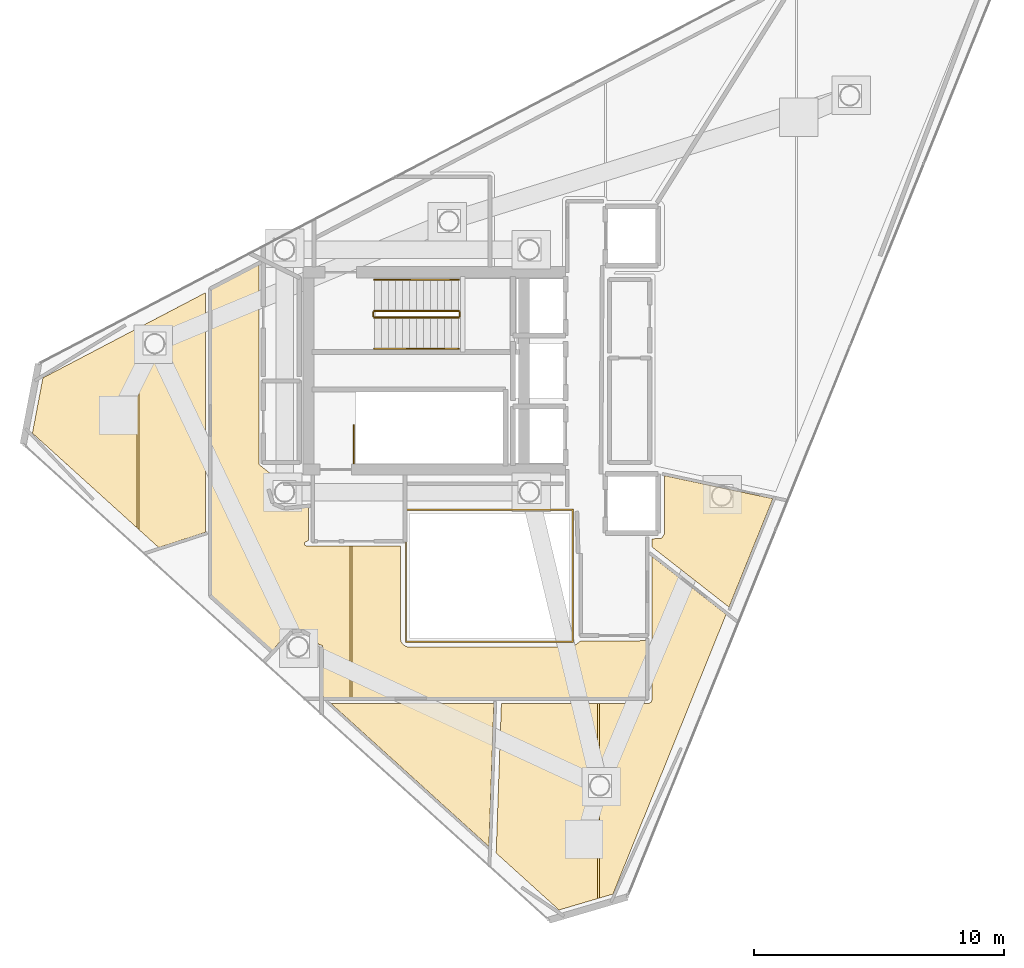
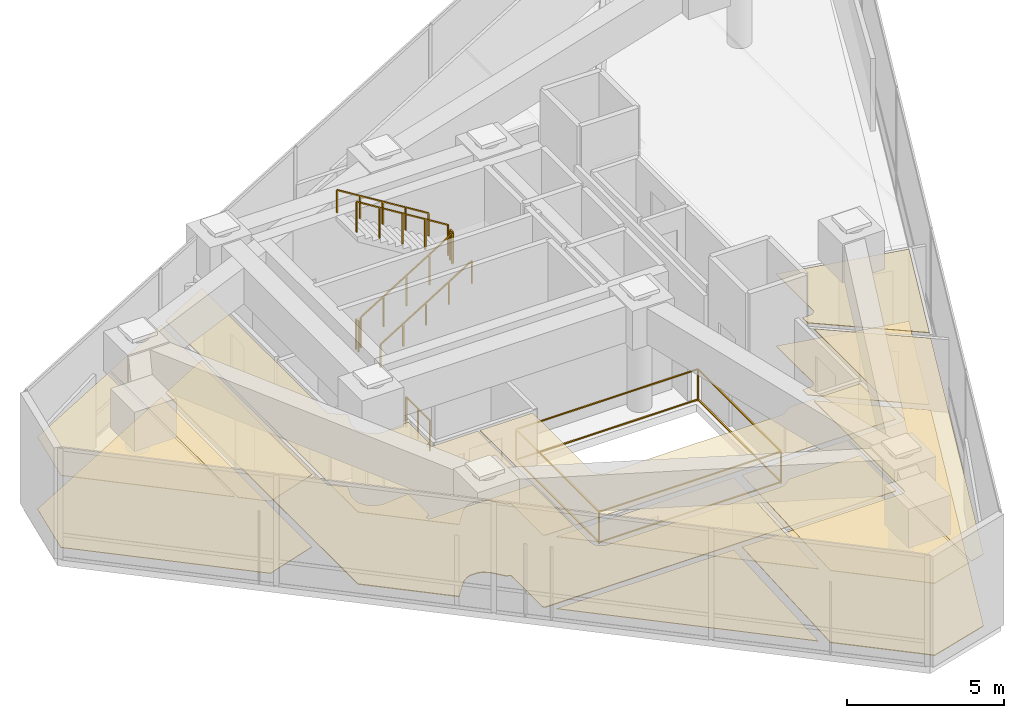
# One storey, part 16 of 17: 13 coverings, 8 railings.
"""IFC4 building model written with IfcOpenShell, lengths in metres."""

from ifc_helpers import new_model, si_unit, direction, frame, origin, origin_2d, place, context, subcontext, project, spatial, polyline, rectangle, outline, extrude, material, layer, layer_set, type_object, element, save


model = new_model("IFC4")

# Units and contexts
model_context = context("Model", 3, precision=1e-05, world=origin(), true_north=direction((0.0, 1.0)))
body_context = subcontext(model_context, "Body", "Model", "MODEL_VIEW")
ifc_project = project(units=[si_unit("LENGTHUNIT", "METRE"), si_unit("AREAUNIT", "SQUARE_METRE"), si_unit("VOLUMEUNIT", "CUBIC_METRE"), si_unit("PLANEANGLEUNIT", "RADIAN"), si_unit("MASSUNIT", "GRAM", prefix="KILO")], contexts=[model_context])

# Site, building, storey
site_placement = place(None, origin())
site = spatial("IfcSite", under=ifc_project, at=site_placement, CompositionType="ELEMENT")
building_placement = place(site_placement, origin())
building = spatial("IfcBuilding", under=site, at=building_placement, Name="Qianvela Tower", CompositionType="ELEMENT")
storey_placement = place(building_placement, frame((0.0, 0.0, 351.800048828125)))
storey = spatial("IfcBuildingStorey", under=building, at=storey_placement, Name="L91", CompositionType="ELEMENT", Elevation=351.800048828125)

# Coverings
ifc_material_1 = material(Name="Perforated Mineral Acoustic Ceiling Tile")
ifc_layer_1 = layer(ifc_material_1, 0.02490234375)
ifc_layer_set_1 = layer_set([ifc_layer_1], Name="Perforated Mineral Acoustic Ceiling Tile")
covering_type_1 = type_object("IfcCoveringType", Name="COV-CEIL-ACOUSTIC-25", PredefinedType="CEILING", material=ifc_layer_set_1)
covering_1_placement = place(storey_placement, frame((0.0, 0.0, 2.794921875)))
element("IfcCovering", 1, at=covering_1_placement, inside=storey, type_object=covering_type_1, Name="L91 Acoustic Ceiling Bay 1 L91 Sky Lobby Gallery Corridor", PredefinedType="CEILING", context=body_context, shape_type="SweptSolid", body=[
    extrude(outline(polyline([(25.679931640625, 31.9541015625), (27.577880859375, 32.947998046875), (27.5791015625, 24.98779296875), (27.57958984375, 24.979736328125), (27.580810546875, 24.971923828125), (27.582763671875, 24.964111328125), (27.585693359375, 24.95654296875), (27.589111328125, 24.94921875), (27.593505859375, 24.9423828125), (27.598388671875, 24.93603515625), (27.60400390625, 24.93017578125), (27.610107421875, 24.9248046875), (28.085205078125, 24.55419921875), (27.915283203125, 23.994140625), (27.91357421875, 23.986572265625), (27.912353515625, 23.978759765625), (27.911865234375, 23.970947265625), (27.911865234375, 23.72900390625), (27.912353515625, 23.72119140625), (27.91357421875, 23.71337890625), (27.915283203125, 23.705810546875), (27.95068359375, 23.589599609375), (27.953369140625, 23.58203125), (27.95654296875, 23.574951171875), (27.960693359375, 23.568359375), (28.09521484375, 23.3671875), (28.099853515625, 23.36083984375), (28.10498046875, 23.35498046875), (28.11083984375, 23.349853515625), (28.1171875, 23.34521484375), (28.318359375, 23.210693359375), (28.324951171875, 23.20654296875), (28.33203125, 23.203369140625), (28.339599609375, 23.20068359375), (28.34716796875, 23.19873046875), (28.58447265625, 23.151611328125), (28.59228515625, 23.150390625), (28.60009765625, 23.14990234375), (28.60791015625, 23.150390625), (29.55810546875, 23.243896484375), (29.55810546875, 21.913818359375), (29.439697265625, 21.8505859375), (29.432861328125, 21.846435546875), (29.426513671875, 21.841796875), (29.4208984375, 21.836669921875), (29.41552734375, 21.830810546875), (29.410888671875, 21.824462890625), (29.40673828125, 21.817626953125), (29.403564453125, 21.810546875), (29.40087890625, 21.80322265625), (29.39892578125, 21.795654296875), (29.397705078125, 21.787841796875), (29.3974609375, 21.780029296875), (29.397705078125, 21.772216796875), (29.39892578125, 21.764404296875), (29.40087890625, 21.7568359375), (29.403564453125, 21.74951171875), (29.40673828125, 21.7421875), (29.410888671875, 21.735595703125), (29.41552734375, 21.729248046875), (29.4208984375, 21.723388671875), (29.426513671875, 21.71826171875), (29.432861328125, 21.71337890625), (29.439697265625, 21.70947265625), (29.44677734375, 21.7060546875), (29.4541015625, 21.703369140625), (29.4619140625, 21.701416015625), (29.469482421875, 21.700439453125), (29.477294921875, 21.699951171875), (31.21875, 21.699951171875), (31.21875, 15.6298828125), (30.1923828125, 15.6298828125), (30.1298828125, 15.686279296875), (30.1298828125, 17.64990234375), (30.129638671875, 17.65771484375), (30.12841796875, 17.66552734375), (30.126708984375, 17.673095703125), (30.123779296875, 17.6806640625), (30.12060546875, 17.687744140625), (30.116455078125, 17.6943359375), (30.11181640625, 17.70068359375), (30.106689453125, 17.70654296875), (30.100830078125, 17.7119140625), (30.094482421875, 17.716552734375), (30.087646484375, 17.720703125), (30.08056640625, 17.723876953125), (30.0732421875, 17.7265625), (30.065673828125, 17.728515625), (30.057861328125, 17.7294921875), (30.050048828125, 17.72998046875), (29.995849609375, 17.72998046875), (29.650146484375, 18.151123046875), (29.64501953125, 18.156982421875), (29.63916015625, 18.162109375), (29.6328125, 18.1669921875), (29.431640625, 18.30126953125), (29.425048828125, 18.305419921875), (29.41796875, 18.30859375), (29.410400390625, 18.311279296875), (29.294189453125, 18.3466796875), (29.28662109375, 18.348388671875), (29.27880859375, 18.349609375), (29.27099609375, 18.35009765625), (29.029052734375, 18.35009765625), (29.021240234375, 18.349609375), (29.013427734375, 18.348388671875), (29.005859375, 18.3466796875), (28.889404296875, 18.311279296875), (28.882080078125, 18.30859375), (28.875, 18.305419921875), (28.868408203125, 18.30126953125), (28.6669921875, 18.1669921875), (28.660888671875, 18.162109375), (28.655029296875, 18.156982421875), (28.64990234375, 18.151123046875), (28.120361328125, 17.506103515625), (25.679931640625, 19.7158203125), (25.679931640625, 31.9541015625)])), origin(), (0.0, 0.0, 1.0), 0.025146484375),
])
covering_2_placement = place(storey_placement, frame((0.0, 0.0, 2.794921875)))
element("IfcCovering", 2, at=covering_2_placement, inside=storey, type_object=covering_type_1, Name="L91 Acoustic Ceiling Bay 2 L91 Sky Lobby Gallery Corridor", PredefinedType="CEILING", context=body_context, shape_type="SweptSolid", body=[
    extrude(outline(polyline([(33.239990234375, 21.699951171875), (33.239990234375, 18.0), (33.240478515625, 17.9921875), (33.241455078125, 17.984375), (33.262939453125, 17.877197265625), (33.264892578125, 17.86962890625), (33.267333984375, 17.8623046875), (33.270751953125, 17.85498046875), (33.27490234375, 17.848388671875), (33.33544921875, 17.757568359375), (33.340087890625, 17.751220703125), (33.345458984375, 17.745361328125), (33.351318359375, 17.740234375), (33.357666015625, 17.735595703125), (33.448486328125, 17.6748046875), (33.455078125, 17.6708984375), (33.462158203125, 17.66748046875), (33.469482421875, 17.664794921875), (33.477294921875, 17.662841796875), (33.58447265625, 17.6416015625), (33.59228515625, 17.640380859375), (33.60009765625, 17.639892578125), (40.0, 17.639892578125), (40.006591796875, 17.640380859375), (40.012939453125, 17.64111328125), (40.019287109375, 17.642333984375), (40.1513671875, 17.675537109375), (40.15869140625, 17.677734375), (40.166015625, 17.6806640625), (40.172607421875, 17.68408203125), (40.17919921875, 17.6884765625), (40.459228515625, 17.89306640625), (43.070068359375, 17.89990234375), (43.070068359375, 15.6298828125), (31.298828125, 15.6298828125), (31.298828125, 21.699951171875), (33.239990234375, 21.699951171875)])), origin(), (0.0, 0.0, 1.0), 0.025146484375),
])
covering_3_placement = place(storey_placement, frame((0.0, 0.0, 2.794921875)))
element("IfcCovering", 3, at=covering_3_placement, inside=storey, type_object=covering_type_1, Name="L91 Acoustic Ceiling L91 Panoramic Sky Lounge", PredefinedType="CEILING", context=body_context, shape_type="SweptSolid", body=[
    extrude(outline(polyline([(36.779541015625, 9.665283203125), (30.457275390625, 15.389892578125), (36.9794921875, 15.389892578125), (36.779541015625, 9.665283203125)])), origin(), (0.0, 0.0, 1.0), 0.025146484375),
])
covering_4_placement = place(storey_placement, frame((0.0, 0.0, 2.794921875)))
element("IfcCovering", 4, at=covering_4_placement, inside=storey, type_object=covering_type_1, Name="L91 Acoustic Ceiling Bay 1 L91 Sky Transfer Reception", PredefinedType="CEILING", context=body_context, shape_type="SweptSolid", body=[
    extrude(outline(polyline([(41.12744140625, 15.389892578125), (41.12744140625, 7.580078125), (39.58544921875, 7.124755859375), (37.070556640625, 9.402099609375), (37.279541015625, 15.389892578125), (41.12744140625, 15.389892578125)])), origin(), (0.0, 0.0, 1.0), 0.025146484375),
])
covering_5_placement = place(storey_placement, frame((0.0, 0.0, 2.794921875)))
element("IfcCovering", 5, at=covering_5_placement, inside=storey, type_object=covering_type_1, Name="L91 Acoustic Ceiling Bay 2 L91 Sky Transfer Reception", PredefinedType="CEILING", context=body_context, shape_type="SweptSolid", body=[
    extrude(outline(polyline([(43.14990234375, 15.389892578125), (43.15771484375, 15.390380859375), (43.16552734375, 15.3916015625), (43.173095703125, 15.393310546875), (43.1806640625, 15.39599609375), (43.2373046875, 15.41943359375), (43.244384765625, 15.4228515625), (43.2509765625, 15.427001953125), (43.25732421875, 15.431640625), (43.26318359375, 15.43701171875), (43.268310546875, 15.442626953125), (43.273193359375, 15.448974609375), (43.277099609375, 15.455810546875), (43.280517578125, 15.462890625), (43.303955078125, 15.519287109375), (43.306640625, 15.52685546875), (43.30859375, 15.534423828125), (43.3095703125, 15.542236328125), (43.31005859375, 15.550048828125), (43.31005859375, 21.2705078125), (46.272216796875, 18.956298828125), (41.74658203125, 7.762939453125), (41.20751953125, 7.603759765625), (41.20751953125, 15.389892578125), (43.14990234375, 15.389892578125)])), origin(), (0.0, 0.0, 1.0), 0.025146484375),
])
covering_6_placement = place(storey_placement, frame((0.0, 0.0, 2.794921875)))
element("IfcCovering", 6, at=covering_6_placement, inside=storey, type_object=covering_type_1, Name="L91 Acoustic Ceiling L91 Graduate Study Lounge", PredefinedType="CEILING", context=body_context, shape_type="SweptSolid", body=[
    extrude(outline(polyline([(43.651123046875, 21.99658203125), (43.6591796875, 21.99755859375), (43.667236328125, 21.99951171875), (43.6748046875, 22.001953125), (43.682373046875, 22.00537109375), (43.689453125, 22.00927734375), (43.696044921875, 22.01416015625), (43.7021484375, 22.01953125), (43.70751953125, 22.025390625), (43.71240234375, 22.031982421875), (43.785888671875, 22.141845703125), (43.789794921875, 22.148681640625), (43.793212890625, 22.15576171875), (43.7958984375, 22.1630859375), (43.7978515625, 22.170654296875), (43.798828125, 22.178466796875), (43.79931640625, 22.186279296875), (43.7998046875, 24.507568359375), (48.143310546875, 23.58447265625), (46.388916015625, 19.24560546875), (43.31005859375, 21.651123046875), (43.31005859375, 21.974853515625), (43.651123046875, 21.99658203125)])), origin(), (0.0, 0.0, 1.0), 0.025146484375),
])
covering_7_placement = place(storey_placement, frame((0.0, 0.0, 2.794921875)))
element("IfcCovering", 7, at=covering_7_placement, inside=storey, type_object=covering_type_1, Name="L91 Acoustic Ceiling Bay 1 L91 Social Reading Lounge", PredefinedType="CEILING", context=body_context, shape_type="SweptSolid", body=[
    extrude(outline(polyline([(18.510986328125, 26.20703125), (18.93212890625, 28.4208984375), (22.701416015625, 30.39453125), (22.701416015625, 22.412841796875), (18.510986328125, 26.20703125)])), origin(), (0.0, 0.0, 1.0), 0.025146484375),
])
covering_8_placement = place(storey_placement, frame((0.0, 0.0, 2.794921875)))
element("IfcCovering", 8, at=covering_8_placement, inside=storey, type_object=covering_type_1, Name="L91 Acoustic Ceiling Bay 2 L91 Social Reading Lounge", PredefinedType="CEILING", context=body_context, shape_type="SweptSolid", body=[
    extrude(outline(polyline([(23.565673828125, 21.630126953125), (22.781494140625, 22.34033203125), (22.781494140625, 30.436279296875), (25.43994140625, 31.82861328125), (25.43994140625, 22.2392578125), (23.565673828125, 21.630126953125)])), origin(), (0.0, 0.0, 1.0), 0.025146484375),
])
ifc_material_2 = material(Name="Engineered Acoustic Oak Timber Flooring", Category="wood")
ifc_layer_2 = layer(ifc_material_2, 0.02001953125)
ifc_layer_set_2 = layer_set([ifc_layer_2], Name="Engineered Acoustic Oak Timber Flooring")
covering_type_2 = type_object("IfcCoveringType", Name="COV-FLOOR-OAK-20", PredefinedType="FLOORING", material=ifc_layer_set_2)
covering_9_placement = place(storey_placement, origin())
element("IfcCovering", 9, at=covering_9_placement, inside=storey, type_object=covering_type_2, Name="L91 Finish Flooring L91 Panoramic Sky Lounge", PredefinedType="FLOORING", context=body_context, shape_type="SweptSolid", body=[
    extrude(outline(polyline([(36.779541015625, 9.665283203125), (30.457275390625, 15.389892578125), (36.9794921875, 15.389892578125), (36.779541015625, 9.665283203125)])), origin(), (0.0, 0.0, 1.0), 0.02001953125),
])
covering_10_placement = place(storey_placement, origin())
element("IfcCovering", 10, at=covering_10_placement, inside=storey, type_object=covering_type_2, Name="L91 Finish Flooring L91 Graduate Study Lounge", PredefinedType="FLOORING", context=body_context, shape_type="SweptSolid", body=[
    extrude(outline(polyline([(43.651123046875, 21.99658203125), (43.6591796875, 21.99755859375), (43.667236328125, 21.99951171875), (43.6748046875, 22.001953125), (43.682373046875, 22.00537109375), (43.689453125, 22.00927734375), (43.696044921875, 22.01416015625), (43.7021484375, 22.01953125), (43.70751953125, 22.025390625), (43.71240234375, 22.031982421875), (43.785888671875, 22.141845703125), (43.789794921875, 22.148681640625), (43.793212890625, 22.15576171875), (43.7958984375, 22.1630859375), (43.7978515625, 22.170654296875), (43.798828125, 22.178466796875), (43.79931640625, 22.186279296875), (43.7998046875, 24.507568359375), (48.143310546875, 23.58447265625), (46.388916015625, 19.24560546875), (43.31005859375, 21.651123046875), (43.31005859375, 21.974853515625), (43.651123046875, 21.99658203125)])), origin(), (0.0, 0.0, 1.0), 0.02001953125),
])
covering_11_placement = place(storey_placement, origin())
element("IfcCovering", 11, at=covering_11_placement, inside=storey, type_object=covering_type_2, Name="L91 Finish Flooring L91 Social Reading Lounge", PredefinedType="FLOORING", context=body_context, shape_type="SweptSolid", body=[
    extrude(outline(polyline([(25.43994140625, 22.2392578125), (23.565673828125, 21.630126953125), (18.510986328125, 26.20703125), (18.93212890625, 28.4208984375), (25.43994140625, 31.82861328125), (25.43994140625, 22.2392578125)])), origin(), (0.0, 0.0, 1.0), 0.02001953125),
])
ifc_material_3 = material(Name="Honed Stone Terrazzo Flooring", Category="masonry")
ifc_layer_3 = layer(ifc_material_3, 0.030029296875)
ifc_layer_set_3 = layer_set([ifc_layer_3], Name="Honed Stone Terrazzo Flooring")
covering_type_3 = type_object("IfcCoveringType", Name="COV-FLOOR-TERRAZZO-30", PredefinedType="FLOORING", material=ifc_layer_set_3)
covering_12_placement = place(storey_placement, origin())
element("IfcCovering", 12, at=covering_12_placement, inside=storey, type_object=covering_type_3, Name="L91 Finish Flooring L91 Sky Lobby Gallery Corridor", PredefinedType="FLOORING", context=body_context, shape_type="SweptSolid", body=[
    extrude(outline(polyline([(25.679931640625, 19.7158203125), (25.679931640625, 31.9541015625), (27.577880859375, 32.947998046875), (27.5791015625, 24.98779296875), (27.57958984375, 24.979736328125), (27.580810546875, 24.971923828125), (27.582763671875, 24.964111328125), (27.585693359375, 24.95654296875), (27.589111328125, 24.94921875), (27.593505859375, 24.9423828125), (27.598388671875, 24.93603515625), (27.60400390625, 24.93017578125), (27.610107421875, 24.9248046875), (28.085205078125, 24.55419921875), (27.915283203125, 23.994140625), (27.91357421875, 23.986572265625), (27.912353515625, 23.978759765625), (27.911865234375, 23.970947265625), (27.911865234375, 23.72900390625), (27.912353515625, 23.72119140625), (27.91357421875, 23.71337890625), (27.915283203125, 23.705810546875), (27.95068359375, 23.589599609375), (27.953369140625, 23.58203125), (27.95654296875, 23.574951171875), (27.960693359375, 23.568359375), (28.09521484375, 23.3671875), (28.099853515625, 23.36083984375), (28.10498046875, 23.35498046875), (28.11083984375, 23.349853515625), (28.1171875, 23.34521484375), (28.318359375, 23.210693359375), (28.324951171875, 23.20654296875), (28.33203125, 23.203369140625), (28.339599609375, 23.20068359375), (28.34716796875, 23.19873046875), (28.58447265625, 23.151611328125), (28.59228515625, 23.150390625), (28.60009765625, 23.14990234375), (28.60791015625, 23.150390625), (29.55810546875, 23.243896484375), (29.55810546875, 21.913818359375), (29.439697265625, 21.8505859375), (29.432861328125, 21.846435546875), (29.426513671875, 21.841796875), (29.4208984375, 21.836669921875), (29.41552734375, 21.830810546875), (29.410888671875, 21.824462890625), (29.40673828125, 21.817626953125), (29.403564453125, 21.810546875), (29.40087890625, 21.80322265625), (29.39892578125, 21.795654296875), (29.397705078125, 21.787841796875), (29.3974609375, 21.780029296875), (29.397705078125, 21.772216796875), (29.39892578125, 21.764404296875), (29.40087890625, 21.7568359375), (29.403564453125, 21.74951171875), (29.40673828125, 21.7421875), (29.410888671875, 21.735595703125), (29.41552734375, 21.729248046875), (29.4208984375, 21.723388671875), (29.426513671875, 21.71826171875), (29.432861328125, 21.71337890625), (29.439697265625, 21.70947265625), (29.44677734375, 21.7060546875), (29.4541015625, 21.703369140625), (29.4619140625, 21.701416015625), (29.469482421875, 21.700439453125), (29.477294921875, 21.699951171875), (33.239990234375, 21.699951171875), (33.239990234375, 18.0), (33.240478515625, 17.9921875), (33.241455078125, 17.984375), (33.262939453125, 17.877197265625), (33.264892578125, 17.86962890625), (33.267333984375, 17.8623046875), (33.270751953125, 17.85498046875), (33.27490234375, 17.848388671875), (33.33544921875, 17.757568359375), (33.340087890625, 17.751220703125), (33.345458984375, 17.745361328125), (33.351318359375, 17.740234375), (33.357666015625, 17.735595703125), (33.448486328125, 17.6748046875), (33.455078125, 17.6708984375), (33.462158203125, 17.66748046875), (33.469482421875, 17.664794921875), (33.477294921875, 17.662841796875), (33.58447265625, 17.6416015625), (33.59228515625, 17.640380859375), (33.60009765625, 17.639892578125), (40.0, 17.639892578125), (40.006591796875, 17.640380859375), (40.012939453125, 17.64111328125), (40.019287109375, 17.642333984375), (40.1513671875, 17.675537109375), (40.15869140625, 17.677734375), (40.166015625, 17.6806640625), (40.172607421875, 17.68408203125), (40.17919921875, 17.6884765625), (40.459228515625, 17.89306640625), (43.070068359375, 17.89990234375), (43.070068359375, 15.6298828125), (30.1923828125, 15.6298828125), (30.1298828125, 15.686279296875), (30.1298828125, 17.64990234375), (30.129638671875, 17.65771484375), (30.12841796875, 17.66552734375), (30.126708984375, 17.673095703125), (30.123779296875, 17.6806640625), (30.12060546875, 17.687744140625), (30.116455078125, 17.6943359375), (30.11181640625, 17.70068359375), (30.106689453125, 17.70654296875), (30.100830078125, 17.7119140625), (30.094482421875, 17.716552734375), (30.087646484375, 17.720703125), (30.08056640625, 17.723876953125), (30.0732421875, 17.7265625), (30.065673828125, 17.728515625), (30.057861328125, 17.7294921875), (30.050048828125, 17.72998046875), (29.995849609375, 17.72998046875), (29.650146484375, 18.151123046875), (29.64501953125, 18.156982421875), (29.63916015625, 18.162109375), (29.6328125, 18.1669921875), (29.431640625, 18.30126953125), (29.425048828125, 18.305419921875), (29.41796875, 18.30859375), (29.410400390625, 18.311279296875), (29.294189453125, 18.3466796875), (29.28662109375, 18.348388671875), (29.27880859375, 18.349609375), (29.27099609375, 18.35009765625), (29.029052734375, 18.35009765625), (29.021240234375, 18.349609375), (29.013427734375, 18.348388671875), (29.005859375, 18.3466796875), (28.889404296875, 18.311279296875), (28.882080078125, 18.30859375), (28.875, 18.305419921875), (28.868408203125, 18.30126953125), (28.6669921875, 18.1669921875), (28.660888671875, 18.162109375), (28.655029296875, 18.156982421875), (28.64990234375, 18.151123046875), (28.120361328125, 17.506103515625), (25.679931640625, 19.7158203125)])), origin(), (0.0, 0.0, 1.0), 0.030029296875),
])
covering_13_placement = place(storey_placement, origin())
element("IfcCovering", 13, at=covering_13_placement, inside=storey, type_object=covering_type_3, Name="L91 Finish Flooring L91 Sky Transfer Reception", PredefinedType="FLOORING", context=body_context, shape_type="SweptSolid", body=[
    extrude(outline(polyline([(37.279541015625, 15.389892578125), (43.14990234375, 15.389892578125), (43.15771484375, 15.390380859375), (43.16552734375, 15.3916015625), (43.173095703125, 15.393310546875), (43.1806640625, 15.39599609375), (43.2373046875, 15.41943359375), (43.244384765625, 15.4228515625), (43.2509765625, 15.427001953125), (43.25732421875, 15.431640625), (43.26318359375, 15.43701171875), (43.268310546875, 15.442626953125), (43.273193359375, 15.448974609375), (43.277099609375, 15.455810546875), (43.280517578125, 15.462890625), (43.303955078125, 15.519287109375), (43.306640625, 15.52685546875), (43.30859375, 15.534423828125), (43.3095703125, 15.542236328125), (43.31005859375, 15.550048828125), (43.31005859375, 21.2705078125), (46.272216796875, 18.956298828125), (41.74658203125, 7.762939453125), (39.58544921875, 7.124755859375), (37.070556640625, 9.402099609375), (37.279541015625, 15.389892578125)])), origin(), (0.0, 0.0, 1.0), 0.030029296875),
])

# Railings
ifc_material_4 = material(Name="Laminated Safety Glass and Stainless Steel 316", Category="steel")
railing_type_1 = type_object("IfcRailingType", Name="RL-ATRIUM-GUARD-1250", PredefinedType="GUARDRAIL", material=ifc_material_4)
railing_1_placement = place(storey_placement, frame((33.4599609375, 17.860107421875, 0.0)))
element("IfcRailing", 14, at=railing_1_placement, inside=storey, type_object=railing_type_1, Name="L91 Atrium Edge Guardrail 1", PredefinedType="GUARDRAIL", context=body_context, shape_type="SweptSolid", body=[
    extrude(rectangle(XDim=0.050048828125, YDim=0.0400390625, at=origin_2d()), frame((0.0, 0.0, 1.22998046875), z_axis=(0.0, 1.0, 0.0), x_axis=(-1.0, 0.0, 0.0)), (0.0, 0.0, 1.0), 5.27978515625),
    extrude(rectangle(XDim=0.050048828125, YDim=0.0400390625, at=origin_2d()), frame((0.0, 0.0, 0.050048828125), z_axis=(0.0, 1.0, 0.0), x_axis=(-1.0, 0.0, 0.0)), (0.0, 0.0, 1.0), 5.27978515625),
    extrude(rectangle(XDim=0.050048828125, YDim=0.0400390625, at=origin_2d()), frame((0.0, 5.27978515625, 1.22998046875), z_axis=(1.0, 0.0, 0.0), x_axis=(0.0, 1.0, 0.0)), (0.0, 0.0, 1.0), 6.679931640625),
    extrude(rectangle(XDim=0.050048828125, YDim=0.0400390625, at=origin_2d()), frame((0.0, 5.27978515625, 0.050048828125), z_axis=(1.0, 0.0, 0.0), x_axis=(0.0, 1.0, 0.0)), (0.0, 0.0, 1.0), 6.679931640625),
    extrude(rectangle(XDim=0.050048828125, YDim=0.0400390625, at=origin_2d()), frame((6.679931640625, 5.27978515625, 1.22998046875), z_axis=(0.0, -1.0, 0.0), x_axis=(1.0, 0.0, 0.0)), (0.0, 0.0, 1.0), 5.27978515625),
    extrude(rectangle(XDim=0.050048828125, YDim=0.0400390625, at=origin_2d()), frame((6.679931640625, 5.27978515625, 0.050048828125), z_axis=(0.0, -1.0, 0.0), x_axis=(1.0, 0.0, 0.0)), (0.0, 0.0, 1.0), 5.27978515625),
    extrude(rectangle(XDim=0.050048828125, YDim=0.0400390625, at=origin_2d()), frame((6.679931640625, 0.0, 1.22998046875), z_axis=(-1.0, 0.0, 0.0), x_axis=(0.0, -1.0, 0.0)), (0.0, 0.0, 1.0), 6.679931640625),
    extrude(rectangle(XDim=0.050048828125, YDim=0.0400390625, at=origin_2d()), frame((6.679931640625, 0.0, 0.050048828125), z_axis=(-1.0, 0.0, 0.0), x_axis=(0.0, -1.0, 0.0)), (0.0, 0.0, 1.0), 6.679931640625),
    extrude(rectangle(XDim=0.050048828125, YDim=0.050048828125, at=origin_2d()), origin(), (0.0, 0.0, 1.0), 1.2099609375),
    extrude(rectangle(XDim=0.050048828125, YDim=0.050048828125, at=origin_2d()), frame((0.0, 5.27978515625, 0.0)), (0.0, 0.0, 1.0), 1.2099609375),
    extrude(rectangle(XDim=0.050048828125, YDim=0.050048828125, at=origin_2d()), frame((6.679931640625, 5.27978515625, 0.0)), (0.0, 0.0, 1.0), 1.2099609375),
    extrude(rectangle(XDim=0.050048828125, YDim=0.050048828125, at=origin_2d()), frame((6.679931640625, 0.0, 0.0)), (0.0, 0.0, 1.0), 1.2099609375),
])
ifc_material_5 = material(Name="Painted Tubular Steel Q355B", Category="steel")
railing_type_2 = type_object("IfcRailingType", Name="RL-STAIR-GUARD-1200", PredefinedType="GUARDRAIL", material=ifc_material_5)
railing_2_placement = place(storey_placement, frame((32.199951171875, 30.840087890625, 0.173095703125)))
element("IfcRailing", 15, at=railing_2_placement, inside=storey, type_object=railing_type_2, Name="L91 ST-1 stair guard 1", PredefinedType="GUARDRAIL", context=body_context, shape_type="SweptSolid", body=[
    extrude(rectangle(XDim=0.050048828125, YDim=0.0400390625, at=origin_2d()), frame((0.0, 0.0, 1.179931640625), z_axis=(0.850623216509, 0.0, 0.525775754039), x_axis=(0.0, 1.0, 0.0)), (0.0, 0.0, 1.0), 3.9501953125),
    extrude(rectangle(XDim=0.050048828125, YDim=0.050048828125, at=origin_2d()), origin(), (0.0, 0.0, 1.0), 1.159912109375),
    extrude(rectangle(XDim=0.050048828125, YDim=0.050048828125, at=origin_2d()), frame((0.840087890625, 0.0, 0.519287109375)), (0.0, 0.0, 1.0), 1.159912109375),
    extrude(rectangle(XDim=0.050048828125, YDim=0.050048828125, at=origin_2d()), frame((1.68017578125, 0.0, 1.03857421875)), (0.0, 0.0, 1.0), 1.159912109375),
    extrude(rectangle(XDim=0.050048828125, YDim=0.050048828125, at=origin_2d()), frame((2.52001953125, 0.0, 1.5576171875)), (0.0, 0.0, 1.0), 1.159912109375),
    extrude(rectangle(XDim=0.050048828125, YDim=0.050048828125, at=origin_2d()), frame((3.360107421875, 0.0, 2.076904296875)), (0.0, 0.0, 1.0), 1.159912109375),
])
railing_3_placement = place(storey_placement, frame((35.610107421875, 30.889892578125, 2.25)))
element("IfcRailing", 16, at=railing_3_placement, inside=storey, type_object=railing_type_2, Name="L91 ST-1 stair guard 2", PredefinedType="GUARDRAIL", context=body_context, shape_type="SweptSolid", body=[
    extrude(rectangle(XDim=0.050048828125, YDim=0.0400390625, at=origin_2d()), frame((0.0, 0.0, 1.179931640625), z_axis=(0.0, 1.0, 0.0), x_axis=(-1.0, 0.0, 0.0)), (0.0, 0.0, 1.0), 0.16015625),
    extrude(rectangle(XDim=0.050048828125, YDim=0.050048828125, at=origin_2d()), origin(), (0.0, 0.0, 1.0), 1.159912109375),
    extrude(rectangle(XDim=0.050048828125, YDim=0.050048828125, at=origin_2d()), frame((0.0, 0.16015625, 0.0)), (0.0, 0.0, 1.0), 1.159912109375),
])
railing_4_placement = place(storey_placement, frame((35.56005859375, 31.10009765625, 2.423095703125)))
element("IfcRailing", 17, at=railing_4_placement, inside=storey, type_object=railing_type_2, Name="L91 ST-1 stair guard 3", PredefinedType="GUARDRAIL", context=body_context, shape_type="SweptSolid", body=[
    extrude(rectangle(XDim=0.050048828125, YDim=0.0400390625, at=origin_2d()), frame((0.0, 0.0, 1.179931640625), z_axis=(-0.850623216509, 0.0, 0.525775754039), x_axis=(0.0, -1.0, 0.0)), (0.0, 0.0, 1.0), 3.9501953125),
    extrude(rectangle(XDim=0.050048828125, YDim=0.050048828125, at=origin_2d()), origin(), (0.0, 0.0, 1.0), 1.159912109375),
    extrude(rectangle(XDim=0.050048828125, YDim=0.050048828125, at=origin_2d()), frame((-0.840087890625, 0.0, 0.519287109375)), (0.0, 0.0, 1.0), 1.159912109375),
    extrude(rectangle(XDim=0.050048828125, YDim=0.050048828125, at=origin_2d()), frame((-1.68017578125, 0.0, 1.03857421875)), (0.0, 0.0, 1.0), 1.159912109375),
    extrude(rectangle(XDim=0.050048828125, YDim=0.050048828125, at=origin_2d()), frame((-2.52001953125, 0.0, 1.5576171875)), (0.0, 0.0, 1.0), 1.159912109375),
    extrude(rectangle(XDim=0.050048828125, YDim=0.050048828125, at=origin_2d()), frame((-3.360107421875, 0.0, 2.076904296875)), (0.0, 0.0, 1.0), 1.159912109375),
])
railing_5_placement = place(storey_placement, frame((32.14990234375, 30.889892578125, 0.0)))
element("IfcRailing", 18, at=railing_5_placement, inside=storey, type_object=railing_type_2, Name="L91 ST-1 stair guard 4", PredefinedType="GUARDRAIL", context=body_context, shape_type="SweptSolid", body=[
    extrude(rectangle(XDim=0.050048828125, YDim=0.0400390625, at=origin_2d()), frame((0.0, 0.0, 1.179931640625), z_axis=(0.0, 1.0, 0.0), x_axis=(-1.0, 0.0, 0.0)), (0.0, 0.0, 1.0), 0.16015625),
    extrude(rectangle(XDim=0.050048828125, YDim=0.050048828125, at=origin_2d()), origin(), (0.0, 0.0, 1.0), 1.159912109375),
    extrude(rectangle(XDim=0.050048828125, YDim=0.050048828125, at=origin_2d()), frame((0.0, 0.16015625, 0.0)), (0.0, 0.0, 1.0), 1.159912109375),
])
railing_6_placement = place(storey_placement, frame((31.3701171875, 25.0, 0.0)))
element("IfcRailing", 19, at=railing_6_placement, inside=storey, type_object=railing_type_2, Name="L91 ST-2 top well guard 1", PredefinedType="GUARDRAIL", context=body_context, shape_type="SweptSolid", body=[
    extrude(rectangle(XDim=0.050048828125, YDim=0.0400390625, at=origin_2d()), frame((0.0, 0.0, 1.179931640625), z_axis=(0.0, 1.0, 0.0), x_axis=(-1.0, 0.0, 0.0)), (0.0, 0.0, 1.0), 1.510009765625),
    extrude(rectangle(XDim=0.050048828125, YDim=0.050048828125, at=origin_2d()), origin(), (0.0, 0.0, 1.0), 1.159912109375),
    extrude(rectangle(XDim=0.050048828125, YDim=0.050048828125, at=origin_2d()), frame((0.0, 0.7548828125, 0.0)), (0.0, 0.0, 1.0), 1.159912109375),
    extrude(rectangle(XDim=0.050048828125, YDim=0.050048828125, at=origin_2d()), frame((0.0, 1.510009765625, 0.0)), (0.0, 0.0, 1.0), 1.159912109375),
])
ifc_material_6 = material(Name="Brushed Stainless Steel 304", Category="steel")
railing_type_3 = type_object("IfcRailingType", Name="RL-STAIR-HANDRAIL-900", PredefinedType="HANDRAIL", material=ifc_material_6)
railing_7_placement = place(storey_placement, frame((32.199951171875, 29.590087890625, 0.173095703125)))
element("IfcRailing", 20, at=railing_7_placement, inside=storey, type_object=railing_type_3, Name="L91 ST-1 stair handrail 1", PredefinedType="HANDRAIL", context=body_context, shape_type="SweptSolid", body=[
    extrude(rectangle(XDim=0.050048828125, YDim=0.0400390625, at=origin_2d()), frame((0.0, 0.0, 0.8798828125), z_axis=(0.850623216509, 0.0, 0.525775754039), x_axis=(0.0, 1.0, 0.0)), (0.0, 0.0, 1.0), 3.9501953125),
    extrude(rectangle(XDim=0.050048828125, YDim=0.050048828125, at=origin_2d()), origin(), (0.0, 0.0, 1.0), 0.85986328125),
    extrude(rectangle(XDim=0.050048828125, YDim=0.050048828125, at=origin_2d()), frame((0.840087890625, 0.0, 0.519287109375)), (0.0, 0.0, 1.0), 0.85986328125),
    extrude(rectangle(XDim=0.050048828125, YDim=0.050048828125, at=origin_2d()), frame((1.68017578125, 0.0, 1.03857421875)), (0.0, 0.0, 1.0), 0.85986328125),
    extrude(rectangle(XDim=0.050048828125, YDim=0.050048828125, at=origin_2d()), frame((2.52001953125, 0.0, 1.5576171875)), (0.0, 0.0, 1.0), 0.85986328125),
    extrude(rectangle(XDim=0.050048828125, YDim=0.050048828125, at=origin_2d()), frame((3.360107421875, 0.0, 2.076904296875)), (0.0, 0.0, 1.0), 0.85986328125),
])
railing_8_placement = place(storey_placement, frame((35.56005859375, 32.35009765625, 2.423095703125)))
element("IfcRailing", 21, at=railing_8_placement, inside=storey, type_object=railing_type_3, Name="L91 ST-1 stair handrail 2", PredefinedType="HANDRAIL", context=body_context, shape_type="SweptSolid", body=[
    extrude(rectangle(XDim=0.050048828125, YDim=0.0400390625, at=origin_2d()), frame((0.0, 0.0, 0.8798828125), z_axis=(-0.850623216509, 0.0, 0.525775754039), x_axis=(0.0, -1.0, 0.0)), (0.0, 0.0, 1.0), 3.9501953125),
    extrude(rectangle(XDim=0.050048828125, YDim=0.050048828125, at=origin_2d()), origin(), (0.0, 0.0, 1.0), 0.85986328125),
    extrude(rectangle(XDim=0.050048828125, YDim=0.050048828125, at=origin_2d()), frame((-0.840087890625, 0.0, 0.519287109375)), (0.0, 0.0, 1.0), 0.85986328125),
    extrude(rectangle(XDim=0.050048828125, YDim=0.050048828125, at=origin_2d()), frame((-1.68017578125, 0.0, 1.03857421875)), (0.0, 0.0, 1.0), 0.85986328125),
    extrude(rectangle(XDim=0.050048828125, YDim=0.050048828125, at=origin_2d()), frame((-2.52001953125, 0.0, 1.5576171875)), (0.0, 0.0, 1.0), 0.85986328125),
    extrude(rectangle(XDim=0.050048828125, YDim=0.050048828125, at=origin_2d()), frame((-3.360107421875, 0.0, 2.076904296875)), (0.0, 0.0, 1.0), 0.85986328125),
])

save(model, "model.ifc")
